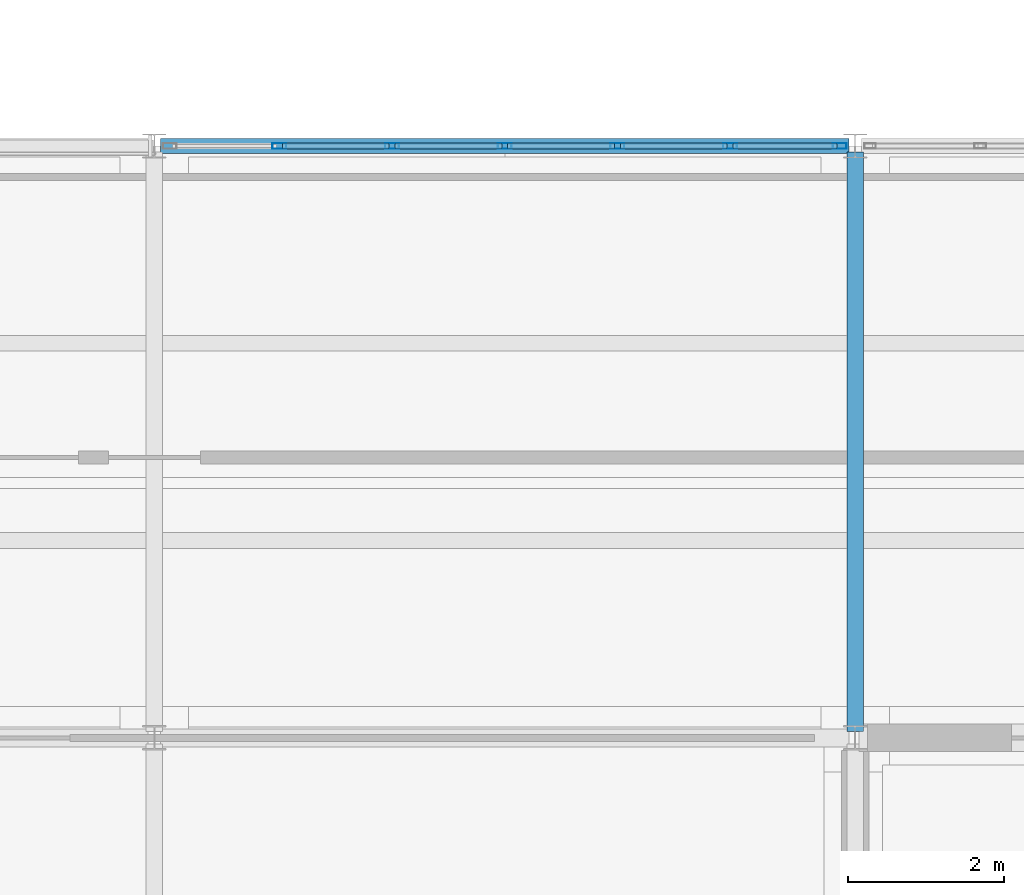
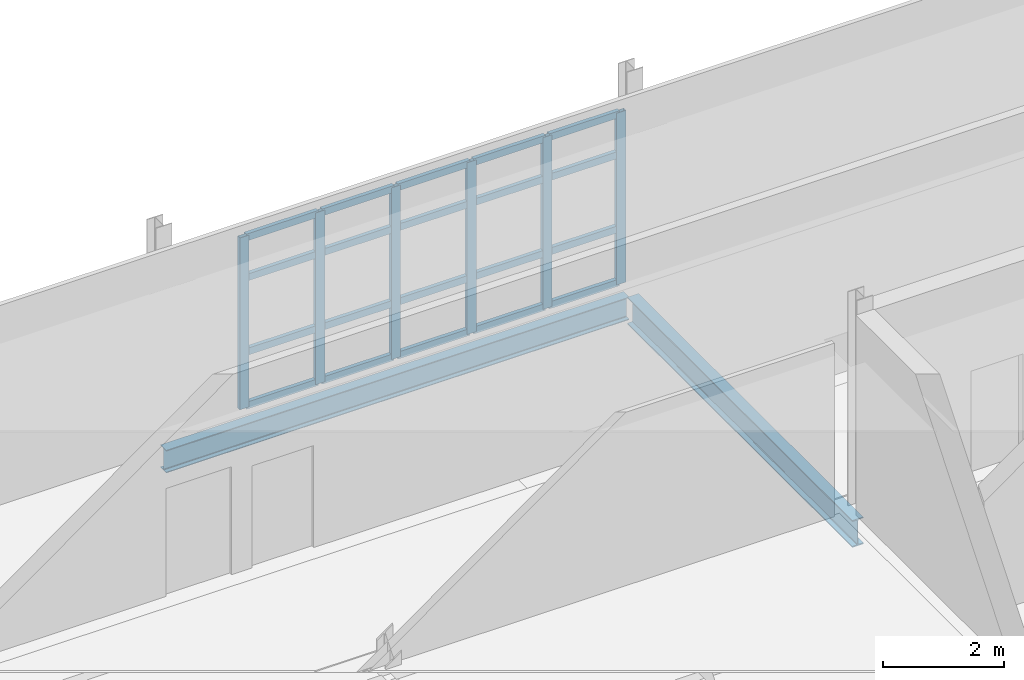
# One storey, part 10 of 48: 26 members, 2 beams, 1 element without a shape of its own.
"""IFC4 building model written with IfcOpenShell, lengths in metres."""

from ifc_helpers import new_model, si_unit, direction, frame, origin, origin_2d, place, context, subcontext, project, spatial, hollow_rectangle, i_section, extrude, material, material_profile, profile_set, type_object, element, aggregate, save


model = new_model("IFC4")

# Units and contexts
model_context = context("Model", 3, precision=1e-05, world=origin(), true_north=direction((0.0, 1.0)))
body_context = subcontext(model_context, "Body", "Model", "MODEL_VIEW")
ifc_project = project(units=[si_unit("LENGTHUNIT", "METRE"), si_unit("AREAUNIT", "SQUARE_METRE"), si_unit("VOLUMEUNIT", "CUBIC_METRE"), si_unit("PLANEANGLEUNIT", "RADIAN"), si_unit("MASSUNIT", "GRAM", prefix="KILO")], contexts=[model_context])

# Site, building, storey
site_placement = place(None, origin())
site = spatial("IfcSite", under=ifc_project, at=site_placement, CompositionType="ELEMENT")
building_placement = place(site_placement, origin())
building = spatial("IfcBuilding", under=site, at=building_placement, Name="Caisbarro Railhouse Central Library", CompositionType="ELEMENT")
storey_placement = place(building_placement, frame((0.0, 0.0, 18.0)))
storey = spatial("IfcBuildingStorey", under=building, at=storey_placement, Name="L04", CompositionType="ELEMENT", Elevation=18.0)

# Beams
ifc_material_1 = material(Name="Steel ASTM A572 Grade 50", Category="steel")
ifc_material_profile_1 = material_profile(ifc_material_1, i_section(OverallWidth=0.2119140625, OverallDepth=0.5439453125, WebThickness=0.01318359375, FlangeThickness=0.021240234375, FilletRadius=0.02001953125, at=origin_2d()), Name="W530X123.0")
ifc_profile_set_1 = profile_set([ifc_material_profile_1], Name="Steel ASTM A572 Grade 50")
beam_type_1 = type_object("IfcBeamType", Name="BM-G05", PredefinedType="BEAM", material=ifc_profile_set_1)
beam_1_placement = place(storey_placement, frame((90.0, 15.280029296875, -0.552001953125), z_axis=(0.0, 1.0, 0.0), x_axis=(-1.0, 0.0, 0.0)))
element("IfcBeam", 1, at=beam_1_placement, inside=storey, type_object=beam_type_1, Name="G05 beam L04 #2046", PredefinedType="BEAM", context=body_context, shape_type="SweptSolid", body=[
    extrude(i_section(OverallWidth=0.2119140625, OverallDepth=0.5439453125, WebThickness=0.01318359375, FlangeThickness=0.021240234375, FilletRadius=0.02001953125, at=origin_2d()), origin(), (0.0, 0.0, 1.0), 7.43994140625),
])
ifc_material_profile_2 = material_profile(ifc_material_1, i_section(OverallWidth=0.18994140625, OverallDepth=0.45703125, WebThickness=0.009033203125, FlangeThickness=0.014404296875, FilletRadius=0.01806640625, at=origin_2d()), Name="W460X74.0")
ifc_profile_set_2 = profile_set([ifc_material_profile_2], Name="Steel ASTM A572 Grade 50")
beam_type_2 = type_object("IfcBeamType", Name="BM-SP01", PredefinedType="SPANDREL", material=ifc_profile_set_2)
beam_2_placement = place(storey_placement, frame((81.080078125, 22.800048828125, -0.508544921875), z_axis=(1.0, 0.0, 0.0), x_axis=(0.0, 1.0, 0.0)))
element("IfcBeam", 2, at=beam_2_placement, inside=storey, type_object=beam_type_2, Name="SP01 beam L04 #2032", PredefinedType="SPANDREL", context=body_context, shape_type="SweptSolid", body=[
    extrude(i_section(OverallWidth=0.18994140625, OverallDepth=0.45703125, WebThickness=0.009033203125, FlangeThickness=0.014404296875, FilletRadius=0.01806640625, at=origin_2d()), origin(), (0.0, 0.0, 1.0), 8.83984375),
])

# Curtain wall, members
ifc_material_2 = material(Name="Anodised architectural aluminium", Category="aluminium")
curtain_wall_type = type_object("IfcCurtainWallType", Name="CW-CW02", PredefinedType="NOTDEFINED", material=ifc_material_2)
curtain_wall_placement = place(storey_placement, origin())
curtain_wall = element("IfcCurtainWall", 3, at=curtain_wall_placement, inside=storey, type_object=curtain_wall_type, Name="CW02 curtain wall L04 #68", PredefinedType="NOTDEFINED")
ifc_material_profile_3 = material_profile(ifc_material_2, hollow_rectangle(XDim=0.074951171875, YDim=0.179931640625, WallThickness=0.00439453125, at=origin_2d()), Name="ALU-MUL-75X180")
ifc_profile_set_3 = profile_set([ifc_material_profile_3], Name="Anodised architectural aluminium")
member_type_1 = type_object("IfcMemberType", Name="CWM-M01", PredefinedType="MULLION", material=ifc_profile_set_3)
member_1_placement = place(storey_placement, frame((82.606689453125, 22.800048828125, 0.0), z_axis=(0.0, 0.0, 1.0), x_axis=(0.0, 1.0, 0.0)))
member_1 = element("IfcMember", 4, at=member_1_placement, type_object=member_type_1, Name="CW02 mullion 2", PredefinedType="MULLION", context=body_context, shape_type="SweptSolid", body=[
    extrude(hollow_rectangle(XDim=0.074951171875, YDim=0.179931640625, WallThickness=0.00439453125, at=origin_2d()), origin(), (0.0, 0.0, 1.0), 3.469970703125),
])
member_2_placement = place(storey_placement, frame((84.05322265625, 22.800048828125, 0.0), z_axis=(0.0, 0.0, 1.0), x_axis=(0.0, 1.0, 0.0)))
member_2 = element("IfcMember", 5, at=member_2_placement, type_object=member_type_1, Name="CW02 mullion 3", PredefinedType="MULLION", context=body_context, shape_type="SweptSolid", body=[
    extrude(hollow_rectangle(XDim=0.074951171875, YDim=0.179931640625, WallThickness=0.00439453125, at=origin_2d()), origin(), (0.0, 0.0, 1.0), 3.469970703125),
])
member_3_placement = place(storey_placement, frame((85.5, 22.800048828125, 0.0), z_axis=(0.0, 0.0, 1.0), x_axis=(0.0, 1.0, 0.0)))
member_3 = element("IfcMember", 6, at=member_3_placement, type_object=member_type_1, Name="CW02 mullion 4", PredefinedType="MULLION", context=body_context, shape_type="SweptSolid", body=[
    extrude(hollow_rectangle(XDim=0.074951171875, YDim=0.179931640625, WallThickness=0.00439453125, at=origin_2d()), origin(), (0.0, 0.0, 1.0), 3.469970703125),
])
member_4_placement = place(storey_placement, frame((86.94677734375, 22.800048828125, 0.0), z_axis=(0.0, 0.0, 1.0), x_axis=(0.0, 1.0, 0.0)))
member_4 = element("IfcMember", 7, at=member_4_placement, type_object=member_type_1, Name="CW02 mullion 5", PredefinedType="MULLION", context=body_context, shape_type="SweptSolid", body=[
    extrude(hollow_rectangle(XDim=0.074951171875, YDim=0.179931640625, WallThickness=0.00439453125, at=origin_2d()), origin(), (0.0, 0.0, 1.0), 3.469970703125),
])
member_5_placement = place(storey_placement, frame((88.393310546875, 22.800048828125, 0.0), z_axis=(0.0, 0.0, 1.0), x_axis=(0.0, 1.0, 0.0)))
member_5 = element("IfcMember", 8, at=member_5_placement, type_object=member_type_1, Name="CW02 mullion 6", PredefinedType="MULLION", context=body_context, shape_type="SweptSolid", body=[
    extrude(hollow_rectangle(XDim=0.074951171875, YDim=0.179931640625, WallThickness=0.00439453125, at=origin_2d()), origin(), (0.0, 0.0, 1.0), 3.469970703125),
])
member_6_placement = place(storey_placement, frame((89.802490234375, 22.800048828125, 0.0), z_axis=(0.0, 0.0, 1.0), x_axis=(0.0, 1.0, 0.0)))
member_6 = element("IfcMember", 9, at=member_6_placement, type_object=member_type_1, Name="CW02 mullion 7", PredefinedType="MULLION", context=body_context, shape_type="SweptSolid", body=[
    extrude(hollow_rectangle(XDim=0.074951171875, YDim=0.179931640625, WallThickness=0.00439453125, at=origin_2d()), origin(), (0.0, 0.0, 1.0), 3.469970703125),
])
ifc_material_profile_4 = material_profile(ifc_material_2, hollow_rectangle(XDim=0.074951171875, YDim=0.139892578125, WallThickness=0.00390625, at=origin_2d()), Name="ALU-TRN-75X140")
ifc_profile_set_4 = profile_set([ifc_material_profile_4], Name="Anodised architectural aluminium")
member_type_2 = type_object("IfcMemberType", Name="CWT-T01", PredefinedType="USERDEFINED", material=ifc_profile_set_4)
member_7_placement = place(storey_placement, frame((82.644287109375, 22.800048828125, 0.03759765625), z_axis=(1.0, 0.0, 0.0), x_axis=(0.0, 1.0, 0.0)))
member_7 = element("IfcMember", 10, at=member_7_placement, type_object=member_type_2, Name="CW02 transom 2.1", ObjectType="TRANSOM", PredefinedType="USERDEFINED", context=body_context, shape_type="SweptSolid", body=[
    extrude(hollow_rectangle(XDim=0.074951171875, YDim=0.139892578125, WallThickness=0.00390625, at=origin_2d()), origin(), (0.0, 0.0, 1.0), 1.37158203125),
])
member_8_placement = place(storey_placement, frame((82.644287109375, 22.800048828125, 1.1201171875), z_axis=(1.0, 0.0, 0.0), x_axis=(0.0, 1.0, 0.0)))
member_8 = element("IfcMember", 11, at=member_8_placement, type_object=member_type_2, Name="CW02 transom 2.2", ObjectType="TRANSOM", PredefinedType="USERDEFINED", context=body_context, shape_type="SweptSolid", body=[
    extrude(hollow_rectangle(XDim=0.074951171875, YDim=0.139892578125, WallThickness=0.00390625, at=origin_2d()), origin(), (0.0, 0.0, 1.0), 1.37158203125),
])
member_9_placement = place(storey_placement, frame((82.644287109375, 22.800048828125, 2.6201171875), z_axis=(1.0, 0.0, 0.0), x_axis=(0.0, 1.0, 0.0)))
member_9 = element("IfcMember", 12, at=member_9_placement, type_object=member_type_2, Name="CW02 transom 2.3", ObjectType="TRANSOM", PredefinedType="USERDEFINED", context=body_context, shape_type="SweptSolid", body=[
    extrude(hollow_rectangle(XDim=0.074951171875, YDim=0.139892578125, WallThickness=0.00390625, at=origin_2d()), origin(), (0.0, 0.0, 1.0), 1.37158203125),
])
member_10_placement = place(storey_placement, frame((82.644287109375, 22.800048828125, 3.4326171875), z_axis=(1.0, 0.0, 0.0), x_axis=(0.0, 1.0, 0.0)))
member_10 = element("IfcMember", 13, at=member_10_placement, type_object=member_type_2, Name="CW02 transom 2.4", ObjectType="TRANSOM", PredefinedType="USERDEFINED", context=body_context, shape_type="SweptSolid", body=[
    extrude(hollow_rectangle(XDim=0.074951171875, YDim=0.139892578125, WallThickness=0.00390625, at=origin_2d()), origin(), (0.0, 0.0, 1.0), 1.37158203125),
])
member_11_placement = place(storey_placement, frame((84.0908203125, 22.800048828125, 0.03759765625), z_axis=(1.0, 0.0, 0.0), x_axis=(0.0, 1.0, 0.0)))
member_11 = element("IfcMember", 14, at=member_11_placement, type_object=member_type_2, Name="CW02 transom 3.1", ObjectType="TRANSOM", PredefinedType="USERDEFINED", context=body_context, shape_type="SweptSolid", body=[
    extrude(hollow_rectangle(XDim=0.074951171875, YDim=0.139892578125, WallThickness=0.00390625, at=origin_2d()), origin(), (0.0, 0.0, 1.0), 1.37158203125),
])
member_12_placement = place(storey_placement, frame((84.0908203125, 22.800048828125, 1.1201171875), z_axis=(1.0, 0.0, 0.0), x_axis=(0.0, 1.0, 0.0)))
member_12 = element("IfcMember", 15, at=member_12_placement, type_object=member_type_2, Name="CW02 transom 3.2", ObjectType="TRANSOM", PredefinedType="USERDEFINED", context=body_context, shape_type="SweptSolid", body=[
    extrude(hollow_rectangle(XDim=0.074951171875, YDim=0.139892578125, WallThickness=0.00390625, at=origin_2d()), origin(), (0.0, 0.0, 1.0), 1.37158203125),
])
member_13_placement = place(storey_placement, frame((84.0908203125, 22.800048828125, 2.6201171875), z_axis=(1.0, 0.0, 0.0), x_axis=(0.0, 1.0, 0.0)))
member_13 = element("IfcMember", 16, at=member_13_placement, type_object=member_type_2, Name="CW02 transom 3.3", ObjectType="TRANSOM", PredefinedType="USERDEFINED", context=body_context, shape_type="SweptSolid", body=[
    extrude(hollow_rectangle(XDim=0.074951171875, YDim=0.139892578125, WallThickness=0.00390625, at=origin_2d()), origin(), (0.0, 0.0, 1.0), 1.37158203125),
])
member_14_placement = place(storey_placement, frame((84.0908203125, 22.800048828125, 3.4326171875), z_axis=(1.0, 0.0, 0.0), x_axis=(0.0, 1.0, 0.0)))
member_14 = element("IfcMember", 17, at=member_14_placement, type_object=member_type_2, Name="CW02 transom 3.4", ObjectType="TRANSOM", PredefinedType="USERDEFINED", context=body_context, shape_type="SweptSolid", body=[
    extrude(hollow_rectangle(XDim=0.074951171875, YDim=0.139892578125, WallThickness=0.00390625, at=origin_2d()), origin(), (0.0, 0.0, 1.0), 1.37158203125),
])
member_15_placement = place(storey_placement, frame((85.53759765625, 22.800048828125, 0.03759765625), z_axis=(1.0, 0.0, 0.0), x_axis=(0.0, 1.0, 0.0)))
member_15 = element("IfcMember", 18, at=member_15_placement, type_object=member_type_2, Name="CW02 transom 4.1", ObjectType="TRANSOM", PredefinedType="USERDEFINED", context=body_context, shape_type="SweptSolid", body=[
    extrude(hollow_rectangle(XDim=0.074951171875, YDim=0.139892578125, WallThickness=0.00390625, at=origin_2d()), origin(), (0.0, 0.0, 1.0), 1.37158203125),
])
member_16_placement = place(storey_placement, frame((85.53759765625, 22.800048828125, 1.1201171875), z_axis=(1.0, 0.0, 0.0), x_axis=(0.0, 1.0, 0.0)))
member_16 = element("IfcMember", 19, at=member_16_placement, type_object=member_type_2, Name="CW02 transom 4.2", ObjectType="TRANSOM", PredefinedType="USERDEFINED", context=body_context, shape_type="SweptSolid", body=[
    extrude(hollow_rectangle(XDim=0.074951171875, YDim=0.139892578125, WallThickness=0.00390625, at=origin_2d()), origin(), (0.0, 0.0, 1.0), 1.37158203125),
])
member_17_placement = place(storey_placement, frame((85.53759765625, 22.800048828125, 2.6201171875), z_axis=(1.0, 0.0, 0.0), x_axis=(0.0, 1.0, 0.0)))
member_17 = element("IfcMember", 20, at=member_17_placement, type_object=member_type_2, Name="CW02 transom 4.3", ObjectType="TRANSOM", PredefinedType="USERDEFINED", context=body_context, shape_type="SweptSolid", body=[
    extrude(hollow_rectangle(XDim=0.074951171875, YDim=0.139892578125, WallThickness=0.00390625, at=origin_2d()), origin(), (0.0, 0.0, 1.0), 1.37158203125),
])
member_18_placement = place(storey_placement, frame((85.53759765625, 22.800048828125, 3.4326171875), z_axis=(1.0, 0.0, 0.0), x_axis=(0.0, 1.0, 0.0)))
member_18 = element("IfcMember", 21, at=member_18_placement, type_object=member_type_2, Name="CW02 transom 4.4", ObjectType="TRANSOM", PredefinedType="USERDEFINED", context=body_context, shape_type="SweptSolid", body=[
    extrude(hollow_rectangle(XDim=0.074951171875, YDim=0.139892578125, WallThickness=0.00390625, at=origin_2d()), origin(), (0.0, 0.0, 1.0), 1.37158203125),
])
member_19_placement = place(storey_placement, frame((86.984130859375, 22.800048828125, 0.03759765625), z_axis=(1.0, 0.0, 0.0), x_axis=(0.0, 1.0, 0.0)))
member_19 = element("IfcMember", 22, at=member_19_placement, type_object=member_type_2, Name="CW02 transom 5.1", ObjectType="TRANSOM", PredefinedType="USERDEFINED", context=body_context, shape_type="SweptSolid", body=[
    extrude(hollow_rectangle(XDim=0.074951171875, YDim=0.139892578125, WallThickness=0.00390625, at=origin_2d()), origin(), (0.0, 0.0, 1.0), 1.37158203125),
])
member_20_placement = place(storey_placement, frame((86.984130859375, 22.800048828125, 1.1201171875), z_axis=(1.0, 0.0, 0.0), x_axis=(0.0, 1.0, 0.0)))
member_20 = element("IfcMember", 23, at=member_20_placement, type_object=member_type_2, Name="CW02 transom 5.2", ObjectType="TRANSOM", PredefinedType="USERDEFINED", context=body_context, shape_type="SweptSolid", body=[
    extrude(hollow_rectangle(XDim=0.074951171875, YDim=0.139892578125, WallThickness=0.00390625, at=origin_2d()), origin(), (0.0, 0.0, 1.0), 1.37158203125),
])
member_21_placement = place(storey_placement, frame((86.984130859375, 22.800048828125, 2.6201171875), z_axis=(1.0, 0.0, 0.0), x_axis=(0.0, 1.0, 0.0)))
member_21 = element("IfcMember", 24, at=member_21_placement, type_object=member_type_2, Name="CW02 transom 5.3", ObjectType="TRANSOM", PredefinedType="USERDEFINED", context=body_context, shape_type="SweptSolid", body=[
    extrude(hollow_rectangle(XDim=0.074951171875, YDim=0.139892578125, WallThickness=0.00390625, at=origin_2d()), origin(), (0.0, 0.0, 1.0), 1.37158203125),
])
member_22_placement = place(storey_placement, frame((86.984130859375, 22.800048828125, 3.4326171875), z_axis=(1.0, 0.0, 0.0), x_axis=(0.0, 1.0, 0.0)))
member_22 = element("IfcMember", 25, at=member_22_placement, type_object=member_type_2, Name="CW02 transom 5.4", ObjectType="TRANSOM", PredefinedType="USERDEFINED", context=body_context, shape_type="SweptSolid", body=[
    extrude(hollow_rectangle(XDim=0.074951171875, YDim=0.139892578125, WallThickness=0.00390625, at=origin_2d()), origin(), (0.0, 0.0, 1.0), 1.37158203125),
])
member_23_placement = place(storey_placement, frame((88.430908203125, 22.800048828125, 0.03759765625), z_axis=(1.0, 0.0, 0.0), x_axis=(0.0, 1.0, 0.0)))
member_23 = element("IfcMember", 26, at=member_23_placement, type_object=member_type_2, Name="CW02 transom 6.1", ObjectType="TRANSOM", PredefinedType="USERDEFINED", context=body_context, shape_type="SweptSolid", body=[
    extrude(hollow_rectangle(XDim=0.074951171875, YDim=0.139892578125, WallThickness=0.00390625, at=origin_2d()), origin(), (0.0, 0.0, 1.0), 1.333984375),
])
member_24_placement = place(storey_placement, frame((88.430908203125, 22.800048828125, 1.1201171875), z_axis=(1.0, 0.0, 0.0), x_axis=(0.0, 1.0, 0.0)))
member_24 = element("IfcMember", 27, at=member_24_placement, type_object=member_type_2, Name="CW02 transom 6.2", ObjectType="TRANSOM", PredefinedType="USERDEFINED", context=body_context, shape_type="SweptSolid", body=[
    extrude(hollow_rectangle(XDim=0.074951171875, YDim=0.139892578125, WallThickness=0.00390625, at=origin_2d()), origin(), (0.0, 0.0, 1.0), 1.333984375),
])
member_25_placement = place(storey_placement, frame((88.430908203125, 22.800048828125, 2.6201171875), z_axis=(1.0, 0.0, 0.0), x_axis=(0.0, 1.0, 0.0)))
member_25 = element("IfcMember", 28, at=member_25_placement, type_object=member_type_2, Name="CW02 transom 6.3", ObjectType="TRANSOM", PredefinedType="USERDEFINED", context=body_context, shape_type="SweptSolid", body=[
    extrude(hollow_rectangle(XDim=0.074951171875, YDim=0.139892578125, WallThickness=0.00390625, at=origin_2d()), origin(), (0.0, 0.0, 1.0), 1.333984375),
])
member_26_placement = place(storey_placement, frame((88.430908203125, 22.800048828125, 3.4326171875), z_axis=(1.0, 0.0, 0.0), x_axis=(0.0, 1.0, 0.0)))
member_26 = element("IfcMember", 29, at=member_26_placement, type_object=member_type_2, Name="CW02 transom 6.4", ObjectType="TRANSOM", PredefinedType="USERDEFINED", context=body_context, shape_type="SweptSolid", body=[
    extrude(hollow_rectangle(XDim=0.074951171875, YDim=0.139892578125, WallThickness=0.00390625, at=origin_2d()), origin(), (0.0, 0.0, 1.0), 1.333984375),
])
aggregate(curtain_wall, [member_1, member_2, member_3, member_4, member_5, member_6, member_7, member_8, member_9, member_10, member_11, member_12, member_13, member_14, member_15, member_16, member_17, member_18, member_19, member_20, member_21, member_22, member_23, member_24, member_25, member_26])

save(model, "model.ifc")
